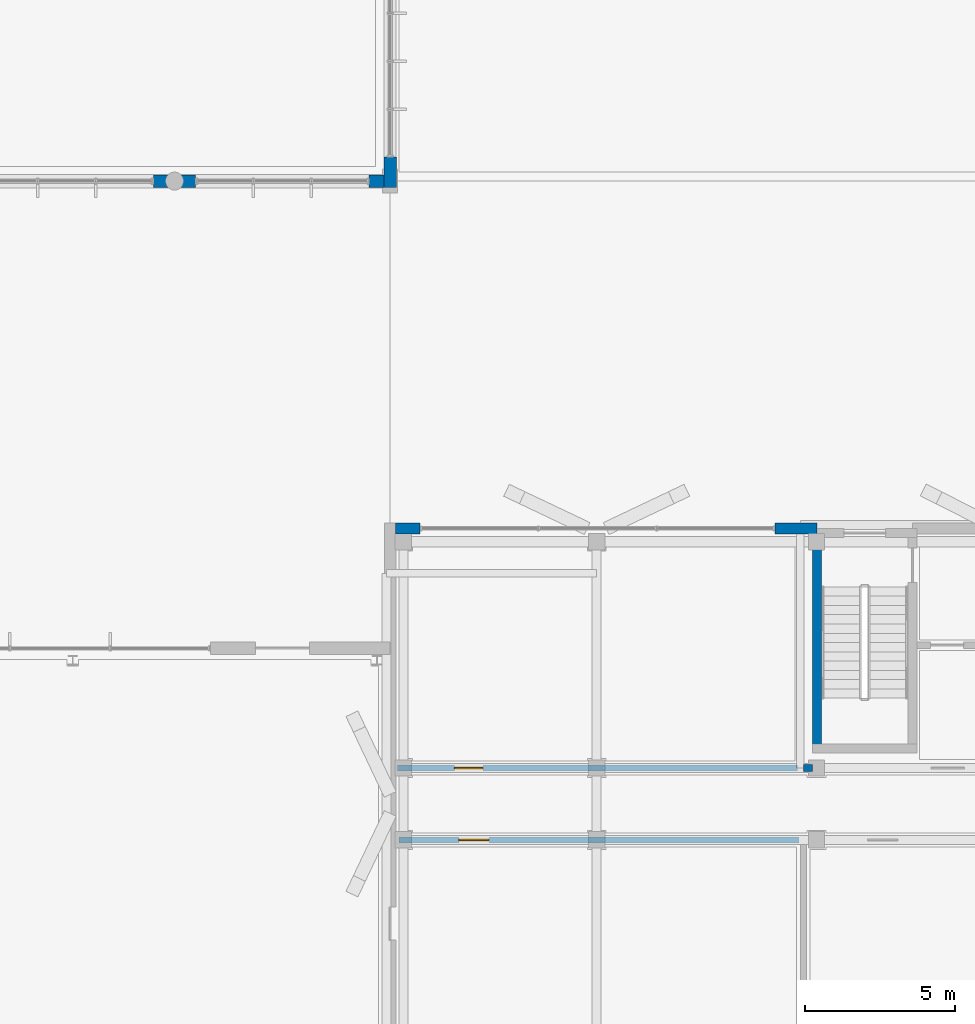
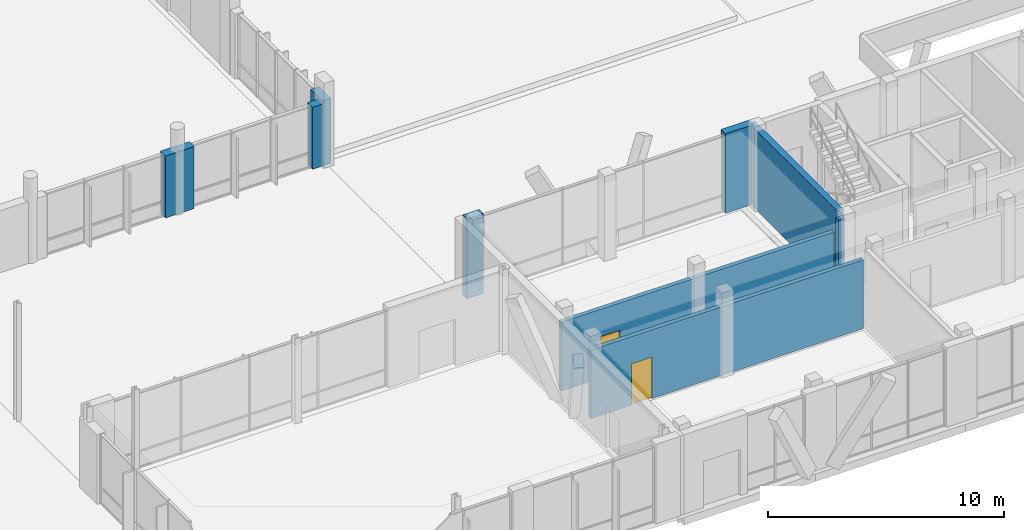
# One storey, part 194 of 233: 9 walls, 2 doors, 2 openings.
"""IFC4 building model written with IfcOpenShell, lengths in metres."""

from ifc_helpers import new_model, si_unit, direction, frame, frame_2d, origin, origin_with_axes, place, context, subcontext, project, spatial, rectangle, extrude, material, layer, layer_set, type_object, element, fill, save


model = new_model("IFC4")

# Units and contexts
model_context = context("Model", 3, precision=1e-05, world=origin(), true_north=direction((0.0, 1.0)))
body_context = subcontext(model_context, "Body", "Model", "MODEL_VIEW")
ifc_project = project(units=[si_unit("LENGTHUNIT", "METRE"), si_unit("AREAUNIT", "SQUARE_METRE"), si_unit("VOLUMEUNIT", "CUBIC_METRE"), si_unit("PLANEANGLEUNIT", "RADIAN"), si_unit("MASSUNIT", "GRAM", prefix="KILO")], contexts=[model_context])

# Site, building, storey
site_placement = place(None, origin())
site = spatial("IfcSite", under=ifc_project, at=site_placement, CompositionType="ELEMENT")
building_placement = place(site_placement, origin())
building = spatial("IfcBuilding", under=site, at=building_placement, Name="Zavelmont Quarter", CompositionType="ELEMENT")
storey_placement = place(building_placement, origin())
storey = spatial("IfcBuildingStorey", under=building, at=storey_placement, Name="L00", CompositionType="ELEMENT", Elevation=0.0)

# Walls
ifc_material_1 = material(Name="Natural Belgian limestone", Category="masonry")
ifc_layer_1 = layer(ifc_material_1, 0.3798828125)
ifc_layer_set_1 = layer_set([ifc_layer_1], Name="Natural Belgian limestone")
wall_type_1 = type_object("IfcWallType", Name="EW01", PredefinedType="STANDARD", material=ifc_layer_set_1)
wall_1_placement = place(storey_placement, frame((112.97998046875, 18.39990234375, 0.0), z_axis=(0.0, 0.0, 1.0), x_axis=(1.0, 0.0, 0.0)))
element("IfcWall", 1, at=wall_1_placement, inside=storey, type_object=wall_type_1, Name="L00 exterior limestone wall EW01", PredefinedType="STANDARD", context=body_context, shape_type="SweptSolid", body=[
    extrude(rectangle(XDim=0.820068359375, YDim=0.3798828125, at=frame_2d((0.41015625, 0.0))), origin(), (0.0, 0.0, 1.0), 4.1201171875),
])
wall_2_placement = place(storey_placement, frame((125.64990234375, 18.39990234375, 0.0), z_axis=(0.0, 0.0, 1.0), x_axis=(1.0, 0.0, 0.0)))
element("IfcWall", 2, at=wall_2_placement, inside=storey, type_object=wall_type_1, Name="L00 exterior limestone wall EW01", PredefinedType="STANDARD", context=body_context, shape_type="SweptSolid", body=[
    extrude(rectangle(XDim=1.400146484375, YDim=0.3798828125, at=frame_2d((0.7001953125, 0.0))), origin(), (0.0, 0.0, 1.0), 4.1201171875),
])
ifc_layer_2 = layer(ifc_material_1, 0.419921875)
ifc_layer_set_2 = layer_set([ifc_layer_2], Name="Natural Belgian limestone")
wall_type_2 = type_object("IfcWallType", Name="EW04", PredefinedType="STANDARD", material=ifc_layer_set_2)
wall_3_placement = place(storey_placement, frame((112.800048828125, 29.7900390625, 0.0), z_axis=(0.0, 0.0, 1.0), x_axis=(0.0, 1.0, 0.0)))
element("IfcWall", 3, at=wall_3_placement, inside=storey, type_object=wall_type_2, Name="L00 exterior limestone wall EW04", PredefinedType="STANDARD", context=body_context, shape_type="SweptSolid", body=[
    extrude(rectangle(XDim=1.010009765625, YDim=0.419921875, at=frame_2d((0.5048828125, 0.0))), origin(), (0.0, 0.0, 1.0), 3.360107421875),
])
wall_4_placement = place(storey_placement, frame((104.89990234375, 30.0, 0.0), z_axis=(0.0, 0.0, 1.0), x_axis=(1.0, 0.0, 0.0)))
element("IfcWall", 4, at=wall_4_placement, inside=storey, type_object=wall_type_2, Name="L00 exterior limestone wall EW04", PredefinedType="STANDARD", context=body_context, shape_type="SweptSolid", body=[
    extrude(rectangle(XDim=1.400146484375, YDim=0.419921875, at=frame_2d((0.7001953125, 0.0))), origin(), (0.0, 0.0, 1.0), 3.2099609375),
])
wall_5_placement = place(storey_placement, frame((112.10009765625, 30.0, 0.0), z_axis=(0.0, 0.0, 1.0), x_axis=(1.0, 0.0, 0.0)))
element("IfcWall", 5, at=wall_5_placement, inside=storey, type_object=wall_type_2, Name="L00 exterior limestone wall EW04", PredefinedType="STANDARD", context=body_context, shape_type="SweptSolid", body=[
    extrude(rectangle(XDim=0.5, YDim=0.419921875, at=frame_2d((0.25, 0.0))), origin(), (0.0, 0.0, 1.0), 3.2099609375),
])

# Wall, opening, door
ifc_material_2 = material(Name="Calcium-silicate blockwork and acoustic plaster", Category="masonry")
ifc_layer_3 = layer(ifc_material_2, 0.199951171875)
ifc_layer_set_3 = layer_set([ifc_layer_3], Name="Calcium-silicate blockwork and acoustic plaster")
wall_type_3 = type_object("IfcWallType", Name="IW01", PredefinedType="PARTITIONING", material=ifc_layer_set_3)
wall_6_placement = place(storey_placement, frame((113.10009765625, 8.0, 0.0), z_axis=(0.0, 0.0, 1.0), x_axis=(1.0, 0.0, 0.0)))
wall_6 = element("IfcWall", 6, at=wall_6_placement, inside=storey, type_object=wall_type_3, Name="L00 Block Entrance Foyer corridor wall IW01", PredefinedType="PARTITIONING", context=body_context, shape_type="SweptSolid", body=[
    extrude(rectangle(XDim=13.349853515625, YDim=0.199951171875, at=frame_2d((6.6748046875, 0.0))), origin(), (0.0, 0.0, 1.0), 3.56005859375),
])
opening_1_placement = place(wall_6_placement, frame((2.0, 0.0, 0.0)))
opening_1 = element("IfcOpeningElement", 7, at=opening_1_placement, cuts=wall_6, Name="Opening DR07", PredefinedType="OPENING", context=body_context, shape_type="SweptSolid", body=[
    extrude(rectangle(XDim=1.0, YDim=2.14990234375, at=frame_2d((0.5, 1.074951171875))), frame((0.0, 0.11181640625, 0.0), z_axis=(0.0, -1.0, 0.0), x_axis=(1.0, 0.0, 0.0)), (0.0, 0.0, 1.0), 0.223876953125),
])
ifc_material_3 = material(Name="Solid-core oak fire leaf in steel frame", Category="steel")
door_type_1 = type_object("IfcDoorType", Name="DR07", OperationType="NOTDEFINED", PredefinedType="DOOR", material=ifc_material_3)
door_1_placement = place(opening_1_placement, frame((1.0, 0.0, 0.0), z_axis=(0.0, 0.0, 1.0), x_axis=(-1.0, 0.0, 0.0)))
door_1 = element("IfcDoor", 8, at=door_1_placement, inside=storey, type_object=door_type_1, Name="L00 door DR07", OperationType="SINGLE_SWING_LEFT", OverallHeight=2.14990234375, OverallWidth=1.0, PredefinedType="DOOR", context=body_context, shape_type="SweptSolid", body=[
    extrude(rectangle(XDim=1.0, YDim=2.14990234375, at=frame_2d((0.5, 1.074951171875))), frame((0.0, 0.02490234375, 0.0), z_axis=(0.0, -1.0, 0.0), x_axis=(1.0, 0.0, 0.0)), (0.0, 0.0, 1.0), 0.050048828125),
])
fill(opening_1, door_1)

wall_7_placement = place(storey_placement, frame((113.050048828125, 10.39990234375, 0.0), z_axis=(0.0, 0.0, 1.0), x_axis=(1.0, 0.0, 0.0)))
wall_7 = element("IfcWall", 9, at=wall_7_placement, inside=storey, type_object=wall_type_3, Name="L00 Interior partition IW01", PredefinedType="PARTITIONING", context=body_context, shape_type="SweptSolid", body=[
    extrude(rectangle(XDim=13.349853515625, YDim=0.199951171875, at=frame_2d((6.6748046875, 0.0))), origin(), (0.0, 0.0, 1.0), 3.56005859375),
])
opening_2_placement = place(wall_7_placement, frame((1.89990234375, 0.0, 0.0)))
opening_2 = element("IfcOpeningElement", 10, at=opening_2_placement, cuts=wall_7, Name="Opening DR02", PredefinedType="OPENING", context=body_context, shape_type="SweptSolid", body=[
    extrude(rectangle(XDim=0.949951171875, YDim=2.14990234375, at=frame_2d((0.47509765625, 1.074951171875))), frame((0.0, 0.11181640625, 0.0), z_axis=(0.0, -1.0, 0.0), x_axis=(1.0, 0.0, 0.0)), (0.0, 0.0, 1.0), 0.223876953125),
])
door_type_2 = type_object("IfcDoorType", Name="DR02", OperationType="NOTDEFINED", PredefinedType="DOOR", material=ifc_material_3)
door_2_placement = place(opening_2_placement, origin_with_axes())
door_2 = element("IfcDoor", 11, at=door_2_placement, inside=storey, type_object=door_type_2, Name="L00 door DR02", OperationType="SINGLE_SWING_LEFT", OverallHeight=2.14990234375, OverallWidth=0.949951171875, PredefinedType="DOOR", context=body_context, shape_type="SweptSolid", body=[
    extrude(rectangle(XDim=0.949951171875, YDim=2.14990234375, at=frame_2d((0.47509765625, 1.074951171875))), frame((0.0, 0.02490234375, 0.0), z_axis=(0.0, -1.0, 0.0), x_axis=(1.0, 0.0, 0.0)), (0.0, 0.0, 1.0), 0.050048828125),
])
fill(opening_2, door_2)

# Walls
ifc_material_4 = material(Name="Reinforced masonry fire compartment wall", Category="masonry")
ifc_layer_4 = layer(ifc_material_4, 0.22509765625)
ifc_layer_set_4 = layer_set([ifc_layer_4], Name="Reinforced masonry fire compartment wall")
wall_type_4 = type_object("IfcWallType", Name="IW02", PredefinedType="PARTITIONING", material=ifc_layer_set_4)
wall_8_placement = place(storey_placement, frame((126.60009765625, 10.39990234375, 0.0), z_axis=(0.0, 0.0, 1.0), x_axis=(1.0, 0.0, 0.0)))
element("IfcWall", 12, at=wall_8_placement, inside=storey, type_object=wall_type_4, Name="L00 Core corridor wall IW02", PredefinedType="PARTITIONING", context=body_context, shape_type="SweptSolid", body=[
    extrude(rectangle(XDim=0.2998046875, YDim=0.22509765625, at=frame_2d((0.14990234375, 0.0))), origin(), (0.0, 0.0, 1.0), 4.1201171875),
])
ifc_material_5 = material(Name="Concrete C40/50", Category="concrete")
ifc_layer_5 = layer(ifc_material_5, 0.300048828125)
ifc_layer_set_5 = layer_set([ifc_layer_5], Name="Concrete C40/50")
wall_type_5 = type_object("IfcWallType", Name="SW01", PredefinedType="SHEAR", material=ifc_layer_set_5)
wall_9_placement = place(storey_placement, frame((127.050048828125, 10.89990234375, 0.0), z_axis=(0.0, 0.0, 1.0), x_axis=(0.0, 1.0, 0.0)))
element("IfcWall", 13, at=wall_9_placement, inside=storey, type_object=wall_type_5, Name="L00 ST07 west shear wall SW01", PredefinedType="SHEAR", context=body_context, shape_type="SweptSolid", body=[
    extrude(rectangle(XDim=7.5, YDim=0.300048828125, at=frame_2d((3.75, 0.0))), origin(), (0.0, 0.0, 1.0), 4.1201171875),
])

save(model, "model.ifc")
